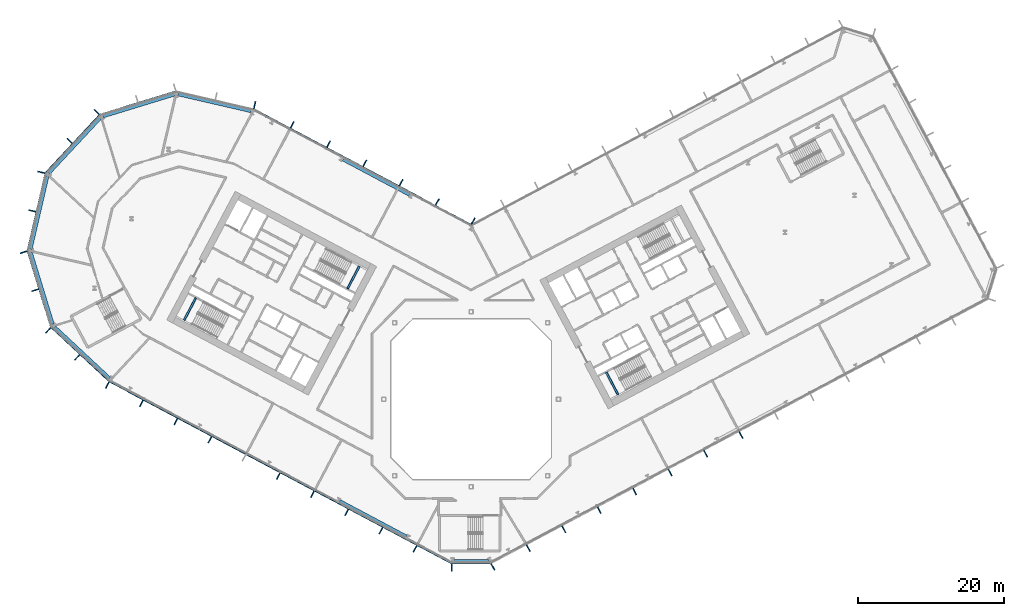
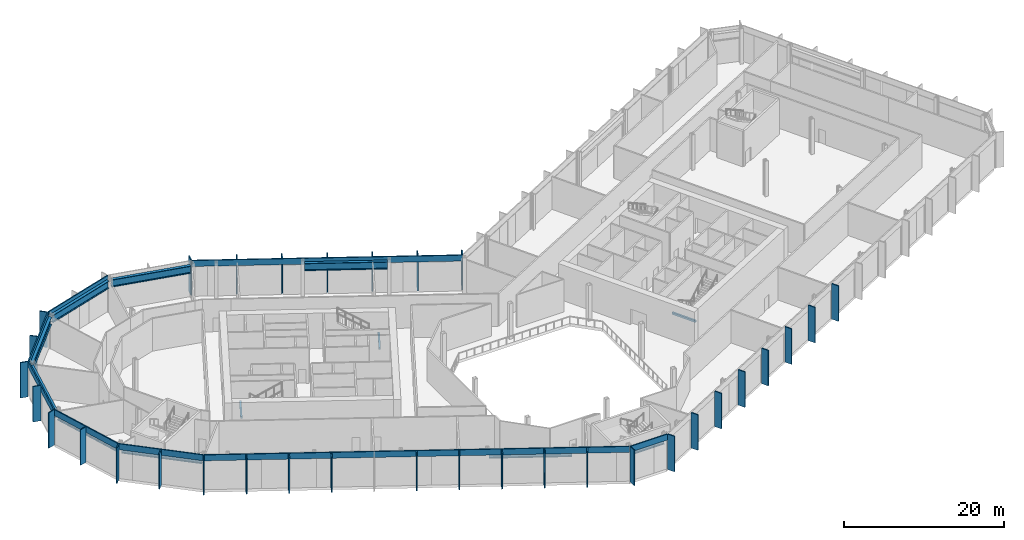
# One storey, part 6 of 32: 41 members, 12 beams, 10 elements without a shape of their own.
"""IFC4 building model written with IfcOpenShell, lengths in metres."""

from ifc_helpers import new_model, si_unit, direction, frame, origin, origin_2d, place, context, subcontext, project, spatial, rectangle, i_section, extrude, material, layer, layer_set, material_profile, profile_set, type_object, element, aggregate, save


model = new_model("IFC4")

# Units and contexts
model_context = context("Model", 3, precision=1e-05, world=origin(), true_north=direction((0.0, 1.0)))
body_context = subcontext(model_context, "Body", "Model", "MODEL_VIEW")
ifc_project = project(units=[si_unit("LENGTHUNIT", "METRE"), si_unit("AREAUNIT", "SQUARE_METRE"), si_unit("VOLUMEUNIT", "CUBIC_METRE"), si_unit("PLANEANGLEUNIT", "RADIAN"), si_unit("MASSUNIT", "GRAM", prefix="KILO")], contexts=[model_context])

# Site, building, storey
site_placement = place(None, origin())
site = spatial("IfcSite", under=ifc_project, at=site_placement, CompositionType="ELEMENT")
building_placement = place(site_placement, origin())
building = spatial("IfcBuilding", under=site, at=building_placement, Name="Cormorant Relay Tower", CompositionType="ELEMENT")
storey_placement = place(building_placement, frame((0.0, 0.0, 17.60009765625)))
storey = spatial("IfcBuildingStorey", under=building, at=storey_placement, Name="L03", CompositionType="ELEMENT", Elevation=17.60009765625)

# Curtain wall, member
ifc_material_1 = material(Name="Aluminium 6063-T6 anodised bronze", Category="aluminium")
ifc_layer = layer(ifc_material_1, 0.235107421875)
ifc_layer_set = layer_set([ifc_layer], Name="CW6 data hall curtain wall with mineral wool panels")
curtain_wall_type = type_object("IfcCurtainWallType", Name="CW6 data hall curtain wall with mineral wool panels", PredefinedType="NOTDEFINED", material=ifc_layer_set)
curtain_wall_1_placement = place(storey_placement, origin())
curtain_wall_1 = element("IfcCurtainWall", 1, at=curtain_wall_1_placement, inside=storey, type_object=curtain_wall_type, Name="CW6 curtain wall 1", PredefinedType="NOTDEFINED")
ifc_material_2 = material(Name="Aluminium 6063-T6 anodised bronze", Category="aluminium")
ifc_material_profile_1 = material_profile(ifc_material_2, rectangle(XDim=0.14990234375, YDim=1.0, at=origin_2d()), Name="AL 150x1000")
ifc_profile_set_1 = profile_set([ifc_material_profile_1], Name="Aluminium 6063-T6 anodised bronze")
member_type_1 = type_object("IfcMemberType", Name="CW6 bronze fin mullion 150 x 1000", PredefinedType="MULLION", material=ifc_profile_set_1)
member_1_placement = place(storey_placement, frame((-2.648681640625, -23.110595703125, 0.0), z_axis=(0.0, 0.0, 1.0), x_axis=(1.0, 0.0, 0.0)))
member_1 = element("IfcMember", 2, at=member_1_placement, type_object=member_type_1, Name="CW6 fin 1.1", PredefinedType="MULLION", context=body_context, shape_type="SweptSolid", body=[
    extrude(rectangle(XDim=0.14990234375, YDim=1.0, at=origin_2d()), origin(), (0.0, 0.0, 1.0), 5.39990234375),
])

# Curtain wall, members
curtain_wall_2_placement = place(storey_placement, origin())
curtain_wall_2 = element("IfcCurtainWall", 3, at=curtain_wall_2_placement, inside=storey, type_object=curtain_wall_type, Name="CW6 curtain wall 2", PredefinedType="NOTDEFINED")
member_2_placement = place(storey_placement, frame((2.993896484375, -23.0244140625, 0.0), z_axis=(0.0, 0.0, 1.0), x_axis=(0.882947592859, 0.469471562786, 0.0)))
member_2 = element("IfcMember", 4, at=member_2_placement, type_object=member_type_1, Name="CW6 fin 2.1", PredefinedType="MULLION", context=body_context, shape_type="SweptSolid", body=[
    extrude(rectangle(XDim=0.14990234375, YDim=1.0, at=origin_2d()), origin(), (0.0, 0.0, 1.0), 5.39990234375),
])
member_3_placement = place(storey_placement, frame((7.860595703125, -20.43701171875, 0.0), z_axis=(0.0, 0.0, 1.0), x_axis=(0.882947592859, 0.469471562786, 0.0)))
member_3 = element("IfcMember", 5, at=member_3_placement, type_object=member_type_1, Name="CW6 fin 2.2", PredefinedType="MULLION", context=body_context, shape_type="SweptSolid", body=[
    extrude(rectangle(XDim=0.14990234375, YDim=1.0, at=origin_2d()), origin(), (0.0, 0.0, 1.0), 5.39990234375),
])
member_4_placement = place(storey_placement, frame((12.727294921875, -17.84912109375, 0.0), z_axis=(0.0, 0.0, 1.0), x_axis=(0.882947592859, 0.469471562786, 0.0)))
member_4 = element("IfcMember", 6, at=member_4_placement, type_object=member_type_1, Name="CW6 fin 2.3", PredefinedType="MULLION", context=body_context, shape_type="SweptSolid", body=[
    extrude(rectangle(XDim=0.14990234375, YDim=1.0, at=origin_2d()), origin(), (0.0, 0.0, 1.0), 5.39990234375),
])
member_5_placement = place(storey_placement, frame((17.593994140625, -15.26171875, 0.0), z_axis=(0.0, 0.0, 1.0), x_axis=(0.882947592859, 0.469471562786, 0.0)))
member_5 = element("IfcMember", 7, at=member_5_placement, type_object=member_type_1, Name="CW6 fin 2.4", PredefinedType="MULLION", context=body_context, shape_type="SweptSolid", body=[
    extrude(rectangle(XDim=0.14990234375, YDim=1.0, at=origin_2d()), origin(), (0.0, 0.0, 1.0), 5.39990234375),
])
member_6_placement = place(storey_placement, frame((22.460693359375, -12.673828125, 0.0), z_axis=(0.0, 0.0, 1.0), x_axis=(0.882947592859, 0.469471562786, 0.0)))
member_6 = element("IfcMember", 8, at=member_6_placement, type_object=member_type_1, Name="CW6 fin 2.5", PredefinedType="MULLION", context=body_context, shape_type="SweptSolid", body=[
    extrude(rectangle(XDim=0.14990234375, YDim=1.0, at=origin_2d()), origin(), (0.0, 0.0, 1.0), 5.39990234375),
])
member_7_placement = place(storey_placement, frame((27.327392578125, -10.086181640625, 0.0), z_axis=(0.0, 0.0, 1.0), x_axis=(0.882947592859, 0.469471562786, 0.0)))
member_7 = element("IfcMember", 9, at=member_7_placement, type_object=member_type_1, Name="CW6 fin 2.6", PredefinedType="MULLION", context=body_context, shape_type="SweptSolid", body=[
    extrude(rectangle(XDim=0.14990234375, YDim=1.0, at=origin_2d()), origin(), (0.0, 0.0, 1.0), 5.39990234375),
])
member_8_placement = place(storey_placement, frame((32.194091796875, -7.49853515625, 0.0), z_axis=(0.0, 0.0, 1.0), x_axis=(0.882947592859, 0.469471562786, 0.0)))
member_8 = element("IfcMember", 10, at=member_8_placement, type_object=member_type_1, Name="CW6 fin 2.7", PredefinedType="MULLION", context=body_context, shape_type="SweptSolid", body=[
    extrude(rectangle(XDim=0.14990234375, YDim=1.0, at=origin_2d()), origin(), (0.0, 0.0, 1.0), 5.39990234375),
])
member_9_placement = place(storey_placement, frame((37.060546875, -4.910888671875, 0.0), z_axis=(0.0, 0.0, 1.0), x_axis=(0.882947592859, 0.469471562786, 0.0)))
member_9 = element("IfcMember", 11, at=member_9_placement, type_object=member_type_1, Name="CW6 fin 2.8", PredefinedType="MULLION", context=body_context, shape_type="SweptSolid", body=[
    extrude(rectangle(XDim=0.14990234375, YDim=1.0, at=origin_2d()), origin(), (0.0, 0.0, 1.0), 5.39990234375),
])
aggregate(curtain_wall_2, [member_2, member_3, member_4, member_5, member_6, member_7, member_8, member_9])

curtain_wall_3_placement = place(storey_placement, origin())
curtain_wall_3 = element("IfcCurtainWall", 12, at=curtain_wall_3_placement, inside=storey, type_object=curtain_wall_type, Name="CW6 curtain wall 7", PredefinedType="NOTDEFINED")
member_10_placement = place(storey_placement, frame((0.27880859375, 24.468017578125, 0.0), z_axis=(0.0, 0.0, 1.0), x_axis=(-0.882947592859, 0.469471562786, 0.0)))
member_10 = element("IfcMember", 13, at=member_10_placement, type_object=member_type_1, Name="CW6 fin 7.1", PredefinedType="MULLION", context=body_context, shape_type="SweptSolid", body=[
    extrude(rectangle(XDim=0.14990234375, YDim=1.0, at=origin_2d()), origin(), (0.0, 0.0, 1.0), 5.39990234375),
])
member_11_placement = place(storey_placement, frame((-4.6337890625, 27.080322265625, 0.0), z_axis=(0.0, 0.0, 1.0), x_axis=(-0.882947592859, 0.469471562786, 0.0)))
member_11 = element("IfcMember", 14, at=member_11_placement, type_object=member_type_1, Name="CW6 fin 7.2", PredefinedType="MULLION", context=body_context, shape_type="SweptSolid", body=[
    extrude(rectangle(XDim=0.14990234375, YDim=1.0, at=origin_2d()), origin(), (0.0, 0.0, 1.0), 5.39990234375),
])
member_12_placement = place(storey_placement, frame((-9.61279296875, 29.727783203125, 0.0), z_axis=(0.0, 0.0, 1.0), x_axis=(-0.882947592859, 0.469471562786, 0.0)))
member_12 = element("IfcMember", 15, at=member_12_placement, type_object=member_type_1, Name="CW6 fin 7.3", PredefinedType="MULLION", context=body_context, shape_type="SweptSolid", body=[
    extrude(rectangle(XDim=0.14990234375, YDim=1.0, at=origin_2d()), origin(), (0.0, 0.0, 1.0), 5.39990234375),
])
member_13_placement = place(storey_placement, frame((-14.591796875, 32.375, 0.0), z_axis=(0.0, 0.0, 1.0), x_axis=(-0.882947592859, 0.469471562786, 0.0)))
member_13 = element("IfcMember", 16, at=member_13_placement, type_object=member_type_1, Name="CW6 fin 7.4", PredefinedType="MULLION", context=body_context, shape_type="SweptSolid", body=[
    extrude(rectangle(XDim=0.14990234375, YDim=1.0, at=origin_2d()), origin(), (0.0, 0.0, 1.0), 5.39990234375),
])
member_14_placement = place(storey_placement, frame((-19.57080078125, 35.0224609375, 0.0), z_axis=(0.0, 0.0, 1.0), x_axis=(-0.882947592859, 0.469471562786, 0.0)))
member_14 = element("IfcMember", 17, at=member_14_placement, type_object=member_type_1, Name="CW6 fin 7.5", PredefinedType="MULLION", context=body_context, shape_type="SweptSolid", body=[
    extrude(rectangle(XDim=0.14990234375, YDim=1.0, at=origin_2d()), origin(), (0.0, 0.0, 1.0), 5.39990234375),
])
member_15_placement = place(storey_placement, frame((-24.5498046875, 37.669677734375, 0.0), z_axis=(0.0, 0.0, 1.0), x_axis=(-0.882947592859, 0.469471562786, 0.0)))
member_15 = element("IfcMember", 18, at=member_15_placement, type_object=member_type_1, Name="CW6 fin 7.6", PredefinedType="MULLION", context=body_context, shape_type="SweptSolid", body=[
    extrude(rectangle(XDim=0.14990234375, YDim=1.0, at=origin_2d()), origin(), (0.0, 0.0, 1.0), 5.39990234375),
])

# Curtain wall, member
curtain_wall_4_placement = place(storey_placement, origin())
curtain_wall_4 = element("IfcCurtainWall", 19, at=curtain_wall_4_placement, inside=storey, type_object=curtain_wall_type, Name="CW6 curtain wall 8", PredefinedType="NOTDEFINED")
member_16_placement = place(storey_placement, frame((-29.70849609375, 40.38427734375, 0.0), z_axis=(0.0, 0.0, 1.0), x_axis=(-0.974370064785, 0.224951054344, 0.0)))
member_16 = element("IfcMember", 20, at=member_16_placement, type_object=member_type_1, Name="CW6 fin 8.1", PredefinedType="MULLION", context=body_context, shape_type="SweptSolid", body=[
    extrude(rectangle(XDim=0.14990234375, YDim=1.0, at=origin_2d()), origin(), (0.0, 0.0, 1.0), 5.39990234375),
])
aggregate(curtain_wall_4, [member_16])

# Curtain wall, members
curtain_wall_5_placement = place(storey_placement, origin())
curtain_wall_5 = element("IfcCurtainWall", 21, at=curtain_wall_5_placement, inside=storey, type_object=curtain_wall_type, Name="CW6 curtain wall 10", PredefinedType="NOTDEFINED")
member_17_placement = place(storey_placement, frame((-51.3984375, 39.4365234375, 0.0), z_axis=(0.0, 0.0, 1.0), x_axis=(-0.681998360062, -0.731353701619, 0.0)))
member_17 = element("IfcMember", 22, at=member_17_placement, type_object=member_type_1, Name="CW6 fin 10.1", PredefinedType="MULLION", context=body_context, shape_type="SweptSolid", body=[
    extrude(rectangle(XDim=0.14990234375, YDim=1.0, at=origin_2d()), origin(), (0.0, 0.0, 1.0), 5.39990234375),
])
member_18_placement = place(storey_placement, frame((-55.105224609375, 35.46142578125, 0.0), z_axis=(0.0, 0.0, 1.0), x_axis=(-0.681998360062, -0.731353701619, 0.0)))
member_18 = element("IfcMember", 23, at=member_18_placement, type_object=member_type_1, Name="CW6 fin 10.2", PredefinedType="MULLION", context=body_context, shape_type="SweptSolid", body=[
    extrude(rectangle(XDim=0.14990234375, YDim=1.0, at=origin_2d()), origin(), (0.0, 0.0, 1.0), 5.39990234375),
])

curtain_wall_6_placement = place(storey_placement, origin())
curtain_wall_6 = element("IfcCurtainWall", 24, at=curtain_wall_6_placement, inside=storey, type_object=curtain_wall_type, Name="CW6 curtain wall 11", PredefinedType="NOTDEFINED")
member_19_placement = place(storey_placement, frame((-58.99072265625, 31.150390625, 0.0), z_axis=(0.0, 0.0, 1.0), x_axis=(-0.224951054344, -0.974370064785, 0.0)))
member_19 = element("IfcMember", 25, at=member_19_placement, type_object=member_type_1, Name="CW6 fin 11.1", PredefinedType="MULLION", context=body_context, shape_type="SweptSolid", body=[
    extrude(rectangle(XDim=0.14990234375, YDim=1.0, at=origin_2d()), origin(), (0.0, 0.0, 1.0), 5.39990234375),
])
member_20_placement = place(storey_placement, frame((-60.21337890625, 25.8544921875, 0.0), z_axis=(0.0, 0.0, 1.0), x_axis=(-0.224951054344, -0.974370064785, 0.0)))
member_20 = element("IfcMember", 26, at=member_20_placement, type_object=member_type_1, Name="CW6 fin 11.2", PredefinedType="MULLION", context=body_context, shape_type="SweptSolid", body=[
    extrude(rectangle(XDim=0.14990234375, YDim=1.0, at=origin_2d()), origin(), (0.0, 0.0, 1.0), 5.39990234375),
])

curtain_wall_7_placement = place(storey_placement, origin())
curtain_wall_7 = element("IfcCurtainWall", 27, at=curtain_wall_7_placement, inside=storey, type_object=curtain_wall_type, Name="CW6 curtain wall 12", PredefinedType="NOTDEFINED")
member_21_placement = place(storey_placement, frame((-61.422607421875, 20.178466796875, 0.0), z_axis=(0.0, 0.0, 1.0), x_axis=(0.292371704723, -0.956304755963, 0.0)))
member_21 = element("IfcMember", 28, at=member_21_placement, type_object=member_type_1, Name="CW6 fin 12.1", PredefinedType="MULLION", context=body_context, shape_type="SweptSolid", body=[
    extrude(rectangle(XDim=0.14990234375, YDim=1.0, at=origin_2d()), origin(), (0.0, 0.0, 1.0), 5.39990234375),
])
member_22_placement = place(storey_placement, frame((-59.83349609375, 14.980712890625, 0.0), z_axis=(0.0, 0.0, 1.0), x_axis=(0.292371704723, -0.956304755963, 0.0)))
member_22 = element("IfcMember", 29, at=member_22_placement, type_object=member_type_1, Name="CW6 fin 12.2", PredefinedType="MULLION", context=body_context, shape_type="SweptSolid", body=[
    extrude(rectangle(XDim=0.14990234375, YDim=1.0, at=origin_2d()), origin(), (0.0, 0.0, 1.0), 5.39990234375),
])

curtain_wall_8_placement = place(storey_placement, origin())
curtain_wall_8 = element("IfcCurtainWall", 30, at=curtain_wall_8_placement, inside=storey, type_object=curtain_wall_type, Name="CW6 curtain wall 13", PredefinedType="NOTDEFINED")
member_23_placement = place(storey_placement, frame((-58.04296875, 9.46044921875, 0.0), z_axis=(0.0, 0.0, 1.0), x_axis=(0.731353701619, -0.681998360062, 0.0)))
member_23 = element("IfcMember", 31, at=member_23_placement, type_object=member_type_1, Name="CW6 fin 13.1", PredefinedType="MULLION", context=body_context, shape_type="SweptSolid", body=[
    extrude(rectangle(XDim=0.14990234375, YDim=1.0, at=origin_2d()), origin(), (0.0, 0.0, 1.0), 5.39990234375),
])
member_24_placement = place(storey_placement, frame((-54.06787109375, 5.753662109375, 0.0), z_axis=(0.0, 0.0, 1.0), x_axis=(0.731353701619, -0.681998360062, 0.0)))
member_24 = element("IfcMember", 32, at=member_24_placement, type_object=member_type_1, Name="CW6 fin 13.2", PredefinedType="MULLION", context=body_context, shape_type="SweptSolid", body=[
    extrude(rectangle(XDim=0.14990234375, YDim=1.0, at=origin_2d()), origin(), (0.0, 0.0, 1.0), 5.39990234375),
])

curtain_wall_9_placement = place(storey_placement, origin())
curtain_wall_9 = element("IfcCurtainWall", 33, at=curtain_wall_9_placement, inside=storey, type_object=curtain_wall_type, Name="CW6 curtain wall 14", PredefinedType="NOTDEFINED")
member_25_placement = place(storey_placement, frame((-49.9365234375, 1.935302734375, 0.0), z_axis=(0.0, 0.0, 1.0), x_axis=(0.882947592859, -0.469471562786, 0.0)))
member_25 = element("IfcMember", 34, at=member_25_placement, type_object=member_type_1, Name="CW6 fin 14.1", PredefinedType="MULLION", context=body_context, shape_type="SweptSolid", body=[
    extrude(rectangle(XDim=0.14990234375, YDim=1.0, at=origin_2d()), origin(), (0.0, 0.0, 1.0), 5.39990234375),
])
member_26_placement = place(storey_placement, frame((-45.2421875, -0.560546875, 0.0), z_axis=(0.0, 0.0, 1.0), x_axis=(0.882947592859, -0.469471562786, 0.0)))
member_26 = element("IfcMember", 35, at=member_26_placement, type_object=member_type_1, Name="CW6 fin 14.2", PredefinedType="MULLION", context=body_context, shape_type="SweptSolid", body=[
    extrude(rectangle(XDim=0.14990234375, YDim=1.0, at=origin_2d()), origin(), (0.0, 0.0, 1.0), 5.39990234375),
])
member_27_placement = place(storey_placement, frame((-40.548095703125, -3.056640625, 0.0), z_axis=(0.0, 0.0, 1.0), x_axis=(0.882947592859, -0.469471562786, 0.0)))
member_27 = element("IfcMember", 36, at=member_27_placement, type_object=member_type_1, Name="CW6 fin 14.3", PredefinedType="MULLION", context=body_context, shape_type="SweptSolid", body=[
    extrude(rectangle(XDim=0.14990234375, YDim=1.0, at=origin_2d()), origin(), (0.0, 0.0, 1.0), 5.39990234375),
])
member_28_placement = place(storey_placement, frame((-35.853759765625, -5.552490234375, 0.0), z_axis=(0.0, 0.0, 1.0), x_axis=(0.882947592859, -0.469471562786, 0.0)))
member_28 = element("IfcMember", 37, at=member_28_placement, type_object=member_type_1, Name="CW6 fin 14.4", PredefinedType="MULLION", context=body_context, shape_type="SweptSolid", body=[
    extrude(rectangle(XDim=0.14990234375, YDim=1.0, at=origin_2d()), origin(), (0.0, 0.0, 1.0), 5.39990234375),
])
member_29_placement = place(storey_placement, frame((-26.46533203125, -10.544677734375, 0.0), z_axis=(0.0, 0.0, 1.0), x_axis=(0.882947592859, -0.469471562786, 0.0)))
member_29 = element("IfcMember", 38, at=member_29_placement, type_object=member_type_1, Name="CW6 fin 14.6", PredefinedType="MULLION", context=body_context, shape_type="SweptSolid", body=[
    extrude(rectangle(XDim=0.14990234375, YDim=1.0, at=origin_2d()), origin(), (0.0, 0.0, 1.0), 5.39990234375),
])
member_30_placement = place(storey_placement, frame((-21.77099609375, -13.04052734375, 0.0), z_axis=(0.0, 0.0, 1.0), x_axis=(0.882947592859, -0.469471562786, 0.0)))
member_30 = element("IfcMember", 39, at=member_30_placement, type_object=member_type_1, Name="CW6 fin 14.7", PredefinedType="MULLION", context=body_context, shape_type="SweptSolid", body=[
    extrude(rectangle(XDim=0.14990234375, YDim=1.0, at=origin_2d()), origin(), (0.0, 0.0, 1.0), 5.39990234375),
])
member_31_placement = place(storey_placement, frame((-17.07666015625, -15.53662109375, 0.0), z_axis=(0.0, 0.0, 1.0), x_axis=(0.882947592859, -0.469471562786, 0.0)))
member_31 = element("IfcMember", 40, at=member_31_placement, type_object=member_type_1, Name="CW6 fin 14.8", PredefinedType="MULLION", context=body_context, shape_type="SweptSolid", body=[
    extrude(rectangle(XDim=0.14990234375, YDim=1.0, at=origin_2d()), origin(), (0.0, 0.0, 1.0), 5.39990234375),
])
member_32_placement = place(storey_placement, frame((-12.38232421875, -18.032470703125, 0.0), z_axis=(0.0, 0.0, 1.0), x_axis=(0.882947592859, -0.469471562786, 0.0)))
member_32 = element("IfcMember", 41, at=member_32_placement, type_object=member_type_1, Name="CW6 fin 14.9", PredefinedType="MULLION", context=body_context, shape_type="SweptSolid", body=[
    extrude(rectangle(XDim=0.14990234375, YDim=1.0, at=origin_2d()), origin(), (0.0, 0.0, 1.0), 5.39990234375),
])
member_33_placement = place(storey_placement, frame((-7.688232421875, -20.528564453125, 0.0), z_axis=(0.0, 0.0, 1.0), x_axis=(0.882947592859, -0.469471562786, 0.0)))
member_33 = element("IfcMember", 42, at=member_33_placement, type_object=member_type_1, Name="CW6 fin 14.10", PredefinedType="MULLION", context=body_context, shape_type="SweptSolid", body=[
    extrude(rectangle(XDim=0.14990234375, YDim=1.0, at=origin_2d()), origin(), (0.0, 0.0, 1.0), 5.39990234375),
])

# Member
ifc_material_3 = material(Name="Aluminium 6063-T6 anodised bronze", Category="aluminium")
ifc_material_profile_2 = material_profile(ifc_material_3, rectangle(XDim=0.159912109375, YDim=0.89990234375, at=origin_2d()), Name="AL 160x900")
ifc_profile_set_2 = profile_set([ifc_material_profile_2], Name="Aluminium 6063-T6 anodised bronze")
member_type_2 = type_object("IfcMemberType", Name="CW6 bronze transom 160 x 900", PredefinedType="USERDEFINED", material=ifc_profile_set_2)
member_34_placement = place(storey_placement, frame((-2.648681640625, -22.530517578125, 4.949951171875), z_axis=(1.0, 0.0, 0.0), x_axis=(0.0, 1.0, 0.0)))
member_34 = element("IfcMember", 43, at=member_34_placement, type_object=member_type_2, Name="CW6 transom 1", ObjectType="TRANSOM", PredefinedType="USERDEFINED", context=body_context, shape_type="SweptSolid", body=[
    extrude(rectangle(XDim=0.159912109375, YDim=0.89990234375, at=origin_2d()), origin(), (0.0, 0.0, 1.0), 5.29736328125),
])

aggregate(curtain_wall_1, [member_1, member_34])

member_35_placement = place(storey_placement, frame((0.07275390625, 23.9208984375, 4.949951171875), z_axis=(-0.882949271414, 0.46946840587, 0.0), x_axis=(-0.46946840587, -0.882949271414, 0.0)))
member_35 = element("IfcMember", 44, at=member_35_placement, type_object=member_type_2, Name="CW6 transom 7", ObjectType="TRANSOM", PredefinedType="USERDEFINED", context=body_context, shape_type="SweptSolid", body=[
    extrude(rectangle(XDim=0.159912109375, YDim=0.89990234375, at=origin_2d()), origin(), (0.0, 0.0, 1.0), 33.833984375),
])

aggregate(curtain_wall_3, [member_10, member_11, member_12, member_13, member_14, member_15, member_35])

# Curtain wall, member
curtain_wall_10_placement = place(storey_placement, origin())
curtain_wall_10 = element("IfcCurtainWall", 45, at=curtain_wall_10_placement, inside=storey, type_object=curtain_wall_type, Name="CW6 curtain wall 9", PredefinedType="NOTDEFINED")
member_36_placement = place(storey_placement, frame((-40.5107421875, 42.26171875, 4.949951171875), z_axis=(-0.956304833932, -0.292371449698, 0.0), x_axis=(0.292371449698, -0.956304833932, 0.0)))
member_36 = element("IfcMember", 46, at=member_36_placement, type_object=member_type_2, Name="CW6 transom 9", ObjectType="TRANSOM", PredefinedType="USERDEFINED", context=body_context, shape_type="SweptSolid", body=[
    extrude(rectangle(XDim=0.159912109375, YDim=0.89990234375, at=origin_2d()), origin(), (0.0, 0.0, 1.0), 10.87060546875),
])
aggregate(curtain_wall_10, [member_36])

# Member
member_37_placement = place(storey_placement, frame((-50.974365234375, 39.041015625, 4.949951171875), z_axis=(-0.681993299437, -0.731358420696, 0.0), x_axis=(0.731358420696, -0.681993299437, 0.0)))
member_37 = element("IfcMember", 47, at=member_37_placement, type_object=member_type_2, Name="CW6 transom 10", ObjectType="TRANSOM", PredefinedType="USERDEFINED", context=body_context, shape_type="SweptSolid", body=[
    extrude(rectangle(XDim=0.159912109375, YDim=0.89990234375, at=origin_2d()), origin(), (0.0, 0.0, 1.0), 10.870361328125),
])

aggregate(curtain_wall_5, [member_17, member_18, member_37])

member_38_placement = place(storey_placement, frame((-58.425537109375, 31.02001953125, 4.949951171875), z_axis=(-0.22495136131, -0.974369993916, 0.0), x_axis=(0.974369993916, -0.22495136131, 0.0)))
member_38 = element("IfcMember", 48, at=member_38_placement, type_object=member_type_2, Name="CW6 transom 11", ObjectType="TRANSOM", PredefinedType="USERDEFINED", context=body_context, shape_type="SweptSolid", body=[
    extrude(rectangle(XDim=0.159912109375, YDim=0.89990234375, at=origin_2d()), origin(), (0.0, 0.0, 1.0), 10.870361328125),
])

aggregate(curtain_wall_6, [member_19, member_20, member_38])

member_39_placement = place(storey_placement, frame((-60.8681640625, 20.347900390625, 4.949951171875), z_axis=(0.292377729282, -0.95630291405, 0.0), x_axis=(0.95630291405, 0.292377729282, 0.0)))
member_39 = element("IfcMember", 49, at=member_39_placement, type_object=member_type_2, Name="CW6 transom 12", ObjectType="TRANSOM", PredefinedType="USERDEFINED", context=body_context, shape_type="SweptSolid", body=[
    extrude(rectangle(XDim=0.159912109375, YDim=0.89990234375, at=origin_2d()), origin(), (0.0, 0.0, 1.0), 10.870361328125),
])

aggregate(curtain_wall_7, [member_21, member_22, member_39])

member_40_placement = place(storey_placement, frame((-57.6474609375, 9.884521484375, 4.949951171875), z_axis=(0.731358420696, -0.681993299437, 0.0), x_axis=(0.681993299437, 0.731358420696, 0.0)))
member_40 = element("IfcMember", 50, at=member_40_placement, type_object=member_type_2, Name="CW6 transom 13", ObjectType="TRANSOM", PredefinedType="USERDEFINED", context=body_context, shape_type="SweptSolid", body=[
    extrude(rectangle(XDim=0.159912109375, YDim=0.89990234375, at=origin_2d()), origin(), (0.0, 0.0, 1.0), 10.870361328125),
])

aggregate(curtain_wall_8, [member_23, member_24, member_40])

member_41_placement = place(storey_placement, frame((-49.664306640625, 2.447509765625, 4.949951171875), z_axis=(0.882946630435, -0.469473372838, 0.0), x_axis=(0.469473372838, 0.882946630435, 0.0)))
member_41 = element("IfcMember", 51, at=member_41_placement, type_object=member_type_2, Name="CW6 transom 14", ObjectType="TRANSOM", PredefinedType="USERDEFINED", context=body_context, shape_type="SweptSolid", body=[
    extrude(rectangle(XDim=0.159912109375, YDim=0.89990234375, at=origin_2d()), origin(), (0.0, 0.0, 1.0), 53.165771484375),
])

aggregate(curtain_wall_9, [member_25, member_26, member_27, member_28, member_29, member_30, member_31, member_32, member_33, member_41])

# Beams
ifc_material_4 = material(Name="Steel ASTM A992 (Fy 345 MPa)", Category="steel")
ifc_material_profile_3 = material_profile(ifc_material_4, i_section(OverallWidth=0.408935546875, OverallDepth=1.137939453125, WebThickness=0.031005859375, FlangeThickness=0.05517578125, FilletRadius=0.02001953125, at=origin_2d()), Name="W1100x607")
ifc_profile_set_3 = profile_set([ifc_material_profile_3], Name="Steel ASTM A992 (Fy 345 MPa)")
beam_type_1 = type_object("IfcBeamType", Name="Spandrel W1100x607", PredefinedType="SPANDREL", material=ifc_profile_set_3)
beam_1_placement = place(storey_placement, frame((-2.331787109375, -22.171142578125, 4.380859375), z_axis=(1.0, 0.0, 0.0), x_axis=(0.0, 1.0, 0.0)))
element("IfcBeam", 52, at=beam_1_placement, inside=storey, type_object=beam_type_1, Name="Spandrel beam L03-001", PredefinedType="SPANDREL", context=body_context, shape_type="SweptSolid", body=[
    extrude(i_section(OverallWidth=0.408935546875, OverallDepth=1.137939453125, WebThickness=0.031005859375, FlangeThickness=0.05517578125, FilletRadius=0.02001953125, at=origin_2d()), origin(), (0.0, 0.0, 1.0), 4.71533203125),
])
beam_2_placement = place(storey_placement, frame((-8.442138671875, 28.041015625, 4.380859375), z_axis=(-0.882941792792, 0.469482470963, 0.0), x_axis=(-0.469482470963, -0.882941792792, 0.0)))
element("IfcBeam", 53, at=beam_2_placement, inside=storey, type_object=beam_type_1, Name="Spandrel beam L03-007", PredefinedType="SPANDREL", context=body_context, shape_type="SweptSolid", body=[
    extrude(i_section(OverallWidth=0.408935546875, OverallDepth=1.137939453125, WebThickness=0.031005859375, FlangeThickness=0.05517578125, FilletRadius=0.02001953125, at=origin_2d()), origin(), (0.0, 0.0, 1.0), 10.363037109375),
])
beam_3_placement = place(storey_placement, frame((-30.184814453125, 39.530029296875, 4.380859375), z_axis=(-0.974369683491, 0.224952705905, 0.0), x_axis=(-0.224952705905, -0.974369683491, 0.0)))
element("IfcBeam", 54, at=beam_3_placement, inside=storey, type_object=beam_type_1, Name="Spandrel beam L03-008", PredefinedType="SPANDREL", context=body_context, shape_type="SweptSolid", body=[
    extrude(i_section(OverallWidth=0.408935546875, OverallDepth=1.137939453125, WebThickness=0.031005859375, FlangeThickness=0.05517578125, FilletRadius=0.02001953125, at=origin_2d()), origin(), (0.0, 0.0, 1.0), 10.3310546875),
])
beam_4_placement = place(storey_placement, frame((-40.716796875, 41.82275390625, 4.380859375), z_axis=(-0.956304908485, -0.292371205845, 0.0), x_axis=(0.292371205845, -0.956304908485, 0.0)))
element("IfcBeam", 55, at=beam_4_placement, inside=storey, type_object=beam_type_1, Name="Spandrel beam L03-009", PredefinedType="SPANDREL", context=body_context, shape_type="SweptSolid", body=[
    extrude(i_section(OverallWidth=0.408935546875, OverallDepth=1.137939453125, WebThickness=0.031005859375, FlangeThickness=0.05517578125, FilletRadius=0.02001953125, at=origin_2d()), origin(), (0.0, 0.0, 1.0), 10.278564453125),
])
beam_5_placement = place(storey_placement, frame((-50.93359375, 38.557373046875, 4.380859375), z_axis=(-0.682005863937, -0.731346704071, 0.0), x_axis=(0.731346704071, -0.682005863937, 0.0)))
element("IfcBeam", 56, at=beam_5_placement, inside=storey, type_object=beam_type_1, Name="Spandrel beam L03-010", PredefinedType="SPANDREL", context=body_context, shape_type="SweptSolid", body=[
    extrude(i_section(OverallWidth=0.408935546875, OverallDepth=1.137939453125, WebThickness=0.031005859375, FlangeThickness=0.05517578125, FilletRadius=0.02001953125, at=origin_2d()), origin(), (0.0, 0.0, 1.0), 10.277099609375),
])
beam_6_placement = place(storey_placement, frame((-58.1484375, 30.6220703125, 4.380859375), z_axis=(-0.224956659484, -0.97436877072, 0.0), x_axis=(0.97436877072, -0.224956659484, 0.0)))
element("IfcBeam", 57, at=beam_6_placement, inside=storey, type_object=beam_type_1, Name="Spandrel beam L03-011", PredefinedType="SPANDREL", context=body_context, shape_type="SweptSolid", body=[
    extrude(i_section(OverallWidth=0.408935546875, OverallDepth=1.137939453125, WebThickness=0.031005859375, FlangeThickness=0.05517578125, FilletRadius=0.02001953125, at=origin_2d()), origin(), (0.0, 0.0, 1.0), 10.277587890625),
])
beam_7_placement = place(storey_placement, frame((-60.42919921875, 20.14208984375, 4.380859375), z_axis=(0.292364564847, -0.956306938813, 0.0), x_axis=(0.956306938813, 0.292364564847, 0.0)))
element("IfcBeam", 58, at=beam_7_placement, inside=storey, type_object=beam_type_1, Name="Spandrel beam L03-012", PredefinedType="SPANDREL", context=body_context, shape_type="SweptSolid", body=[
    extrude(i_section(OverallWidth=0.408935546875, OverallDepth=1.137939453125, WebThickness=0.031005859375, FlangeThickness=0.05517578125, FilletRadius=0.02001953125, at=origin_2d()), origin(), (0.0, 0.0, 1.0), 10.27880859375),
])
beam_8_placement = place(storey_placement, frame((-57.163818359375, 9.925048828125, 4.380859375), z_axis=(0.731361805756, -0.681989669336, 0.0), x_axis=(0.681989669336, 0.731361805756, 0.0)))
element("IfcBeam", 59, at=beam_8_placement, inside=storey, type_object=beam_type_1, Name="Spandrel beam L03-013", PredefinedType="SPANDREL", context=body_context, shape_type="SweptSolid", body=[
    extrude(i_section(OverallWidth=0.408935546875, OverallDepth=1.137939453125, WebThickness=0.031005859375, FlangeThickness=0.05517578125, FilletRadius=0.02001953125, at=origin_2d()), origin(), (0.0, 0.0, 1.0), 10.30029296875),
])
beam_9_placement = place(storey_placement, frame((-18.04638671875, -13.95703125, 4.380859375), z_axis=(0.882942412403, -0.469481305677, 0.0), x_axis=(0.469481305677, 0.882942412403, 0.0)))
element("IfcBeam", 60, at=beam_9_placement, inside=storey, type_object=beam_type_1, Name="Spandrel beam L03-014", PredefinedType="SPANDREL", context=body_context, shape_type="SweptSolid", body=[
    extrude(i_section(OverallWidth=0.408935546875, OverallDepth=1.137939453125, WebThickness=0.031005859375, FlangeThickness=0.05517578125, FilletRadius=0.02001953125, at=origin_2d()), origin(), (0.0, 0.0, 1.0), 10.363525390625),
])
ifc_material_5 = material(Name="Concrete 50 MPa", Category="concrete")
ifc_material_profile_4 = material_profile(ifc_material_5, rectangle(XDim=0.25, YDim=0.300048828125, at=origin_2d()), Name="RC 250x300")
ifc_profile_set_4 = profile_set([ifc_material_profile_4], Name="Concrete 50 MPa")
beam_type_2 = type_object("IfcBeamType", Name="Stair landing ledge beam 250x300", PredefinedType="BEAM", material=ifc_profile_set_4)
for number, where, z_axis, x_axis, name in (
    (61, (-16.9677734375, 15.1943359375, 2.349853515625), (0.469463917486, 0.882951657895, 0.0), (-0.882951657895, 0.469463917486, 0.0), "A1 landing ledge beam"),
    (62, (-37.77490234375, 13.912841796875, 2.349853515625), (-0.469519084434, -0.88292232351, 0.0), (0.88292232351, -0.469519084434, 0.0), "A2 landing ledge beam"),
    (63, (18.55322265625, 3.6923828125, 2.349853515625), (0.469463917486, -0.882951657895, 0.0), (0.882951657895, 0.469463917486, 0.0), "B1 landing ledge beam"),
):
    element("IfcBeam", number, at=place(storey_placement, frame(where, z_axis=z_axis, x_axis=x_axis)), inside=storey, type_object=beam_type_2, Name=name, PredefinedType="BEAM", context=body_context, shape_type="SweptSolid", body=[
        extrude(rectangle(XDim=0.25, YDim=0.300048828125, at=origin_2d()), origin(), (0.0, 0.0, 1.0), 3.449951171875),
    ])

save(model, "model.ifc")
